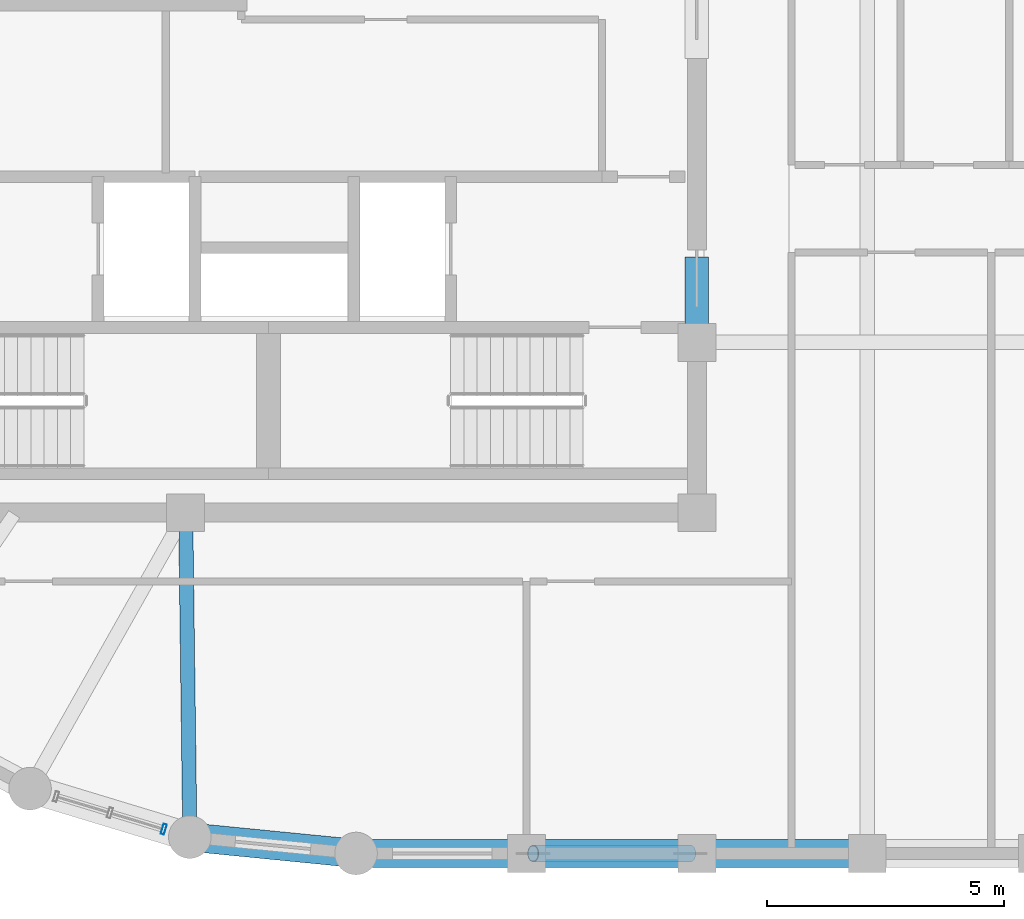
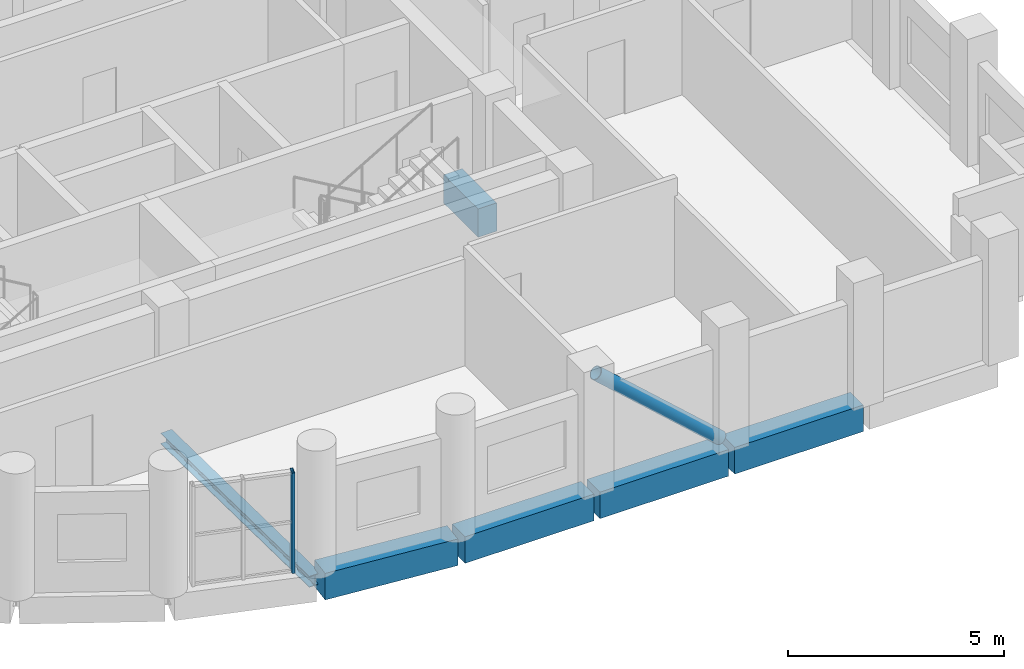
# One storey, part 4 of 11: 6 beams, 2 members, 1 element without a shape of its own.
"""IFC4 building model written with IfcOpenShell, lengths in metres."""

from ifc_helpers import new_model, si_unit, direction, frame, origin, origin_2d, place, context, subcontext, project, spatial, rectangle, hollow_rectangle, hollow_circle, i_section, extrude, material, layer, layer_set, material_profile, profile_set, type_object, element, aggregate, save


model = new_model("IFC4")

# Units and contexts
model_context = context("Model", 3, precision=1e-05, world=origin(), true_north=direction((0.0, 1.0)))
body_context = subcontext(model_context, "Body", "Model", "MODEL_VIEW")
ifc_project = project(units=[si_unit("LENGTHUNIT", "METRE"), si_unit("AREAUNIT", "SQUARE_METRE"), si_unit("VOLUMEUNIT", "CUBIC_METRE"), si_unit("PLANEANGLEUNIT", "RADIAN"), si_unit("MASSUNIT", "GRAM", prefix="KILO")], contexts=[model_context])

# Site, building, storey
site_placement = place(None, origin())
site = spatial("IfcSite", under=ifc_project, at=site_placement, CompositionType="ELEMENT")
building_placement = place(site_placement, origin())
building = spatial("IfcBuilding", under=site, at=building_placement, Name="Solnavia Interchange Tower", CompositionType="ELEMENT")
storey_placement = place(building_placement, frame((0.0, 0.0, 263.0)))
storey = spatial("IfcBuildingStorey", under=building, at=storey_placement, Name="L66", CompositionType="ELEMENT", Elevation=263.0)

# Beams
ifc_material_1 = material(Name="Concrete C50/60", Category="concrete")
ifc_material_profile_1 = material_profile(ifc_material_1, rectangle(XDim=0.5, YDim=0.800048828125, at=origin_2d()), Name="RC 500x800")
ifc_profile_set_1 = profile_set([ifc_material_profile_1], Name="Concrete C50/60")
beam_type_1 = type_object("IfcBeamType", Name="Beam-Coupling-RC500x800", PredefinedType="LINTEL", material=ifc_profile_set_1)
beam_1_placement = place(storey_placement, frame((32.39990234375, 14.60009765625, -0.39990234375), z_axis=(0.0, 1.0, 0.0), x_axis=(-1.0, 0.0, 0.0)))
element("IfcBeam", 1, at=beam_1_placement, inside=storey, type_object=beam_type_1, Name="CPB-L66-E1 Core coupling lintel beam", PredefinedType="LINTEL", context=body_context, shape_type="SweptSolid", body=[
    extrude(rectangle(XDim=0.5, YDim=0.800048828125, at=origin_2d()), origin(), (0.0, 0.0, 1.0), 1.599853515625),
])
ifc_material_2 = material(Name="Steel S355", Category="steel")
ifc_material_profile_2 = material_profile(ifc_material_2, i_section(OverallWidth=0.300048828125, OverallDepth=0.31005859375, WebThickness=0.009033203125, FlangeThickness=0.015380859375, FilletRadius=0.027099609375, at=origin_2d()), Name="HEA 320")
ifc_profile_set_2 = profile_set([ifc_material_profile_2], Name="Steel S355")
beam_type_2 = type_object("IfcBeamType", Name="Beam-Primary-HEA320", PredefinedType="BEAM", material=ifc_profile_set_2)
beam_2_placement = place(storey_placement, frame((21.68701171875, 4.02587890625, -0.405029296875), z_axis=(-0.01283293513, 0.999917654498, 0.0), x_axis=(-0.999917654498, -0.01283293513, 0.0)))
element("IfcBeam", 2, at=beam_2_placement, inside=storey, type_object=beam_type_2, Name="GRD-L66-DR11 Drum radial floor girder", PredefinedType="BEAM", context=body_context, shape_type="SweptSolid", body=[
    extrude(i_section(OverallWidth=0.300048828125, OverallDepth=0.31005859375, WebThickness=0.009033203125, FlangeThickness=0.015380859375, FilletRadius=0.027099609375, at=origin_2d()), origin(), (0.0, 0.0, 1.0), 6.734619140625),
])
ifc_material_profile_3 = material_profile(ifc_material_1, rectangle(XDim=0.60009765625, YDim=0.75, at=origin_2d()), Name="RC 600x750")
ifc_profile_set_3 = profile_set([ifc_material_profile_3], Name="Concrete C50/60")
beam_type_3 = type_object("IfcBeamType", Name="Beam-Spandrel-RC600x750", PredefinedType="SPANDREL", material=ifc_profile_set_3)
beam_3_placement = place(storey_placement, frame((21.767578125, 3.938232421875, -0.375), z_axis=(0.995181774609, -0.098047108501, 0.0), x_axis=(0.098047108501, 0.995181774609, 0.0)))
element("IfcBeam", 3, at=beam_3_placement, inside=storey, type_object=beam_type_3, Name="SPB-L66-08 Framed-tube perimeter spandrel beam", PredefinedType="SPANDREL", context=body_context, shape_type="SweptSolid", body=[
    extrude(rectangle(XDim=0.60009765625, YDim=0.75, at=origin_2d()), origin(), (0.0, 0.0, 1.0), 3.368896484375),
])
beam_4_placement = place(storey_placement, frame((25.280029296875, 3.60009765625, -0.375), z_axis=(1.0, 0.0, 0.0), x_axis=(0.0, 1.0, 0.0)))
element("IfcBeam", 4, at=beam_4_placement, inside=storey, type_object=beam_type_3, Name="SPB-L66-09 Framed-tube perimeter spandrel beam", PredefinedType="SPANDREL", context=body_context, shape_type="SweptSolid", body=[
    extrude(rectangle(XDim=0.60009765625, YDim=0.75, at=origin_2d()), origin(), (0.0, 0.0, 1.0), 3.43994140625),
])
beam_5_placement = place(storey_placement, frame((28.8798828125, 3.60009765625, -0.375), z_axis=(1.0, 0.0, 0.0), x_axis=(0.0, 1.0, 0.0)))
element("IfcBeam", 5, at=beam_5_placement, inside=storey, type_object=beam_type_3, Name="SPB-L66-10 Framed-tube perimeter spandrel beam", PredefinedType="SPANDREL", context=body_context, shape_type="SweptSolid", body=[
    extrude(rectangle(XDim=0.60009765625, YDim=0.75, at=origin_2d()), origin(), (0.0, 0.0, 1.0), 3.440185546875),
])
beam_6_placement = place(storey_placement, frame((32.47998046875, 3.60009765625, -0.375), z_axis=(1.0, 0.0, 0.0), x_axis=(0.0, 1.0, 0.0)))
element("IfcBeam", 6, at=beam_6_placement, inside=storey, type_object=beam_type_3, Name="SPB-L66-11 Framed-tube perimeter spandrel beam", PredefinedType="SPANDREL", context=body_context, shape_type="SweptSolid", body=[
    extrude(rectangle(XDim=0.60009765625, YDim=0.75, at=origin_2d()), origin(), (0.0, 0.0, 1.0), 3.43994140625),
])

# Member
ifc_material_3 = material(Name="Steel S460", Category="steel")
ifc_material_profile_4 = material_profile(ifc_material_3, hollow_circle(Radius=0.177734375, WallThickness=0.01611328125, at=origin_2d()), Name="CHS 355.6x16")
ifc_profile_set_4 = profile_set([ifc_material_profile_4], Name="Steel S460")
member_type_1 = type_object("IfcMemberType", Name="Brace-Perim-CHS355", PredefinedType="BRACE", material=ifc_profile_set_4)
member_1_placement = place(storey_placement, frame((32.260009765625, 3.60009765625, 0.179931640625), z_axis=(-0.74307946371, 0.0, 0.669203190827), x_axis=(0.0, -1.0, 0.0)))
element("IfcMember", 7, at=member_1_placement, inside=storey, type_object=member_type_1, Name="BRC-L66-01 Perimeter tube diagonal brace", PredefinedType="BRACE", context=body_context, shape_type="SweptSolid", body=[
    extrude(hollow_circle(Radius=0.177734375, WallThickness=0.01611328125, at=origin_2d()), origin(), (0.0, 0.0, 1.0), 4.468017578125),
])

# Curtain wall, member
ifc_material_4 = material(Name="Aluminium Alloy 6063-T6", Category="aluminium")
ifc_layer = layer(ifc_material_4, 0.239990234375)
ifc_layer_set = layer_set([ifc_layer], Name="Aluminium Alloy 6063-T6")
curtain_wall_type = type_object("IfcCurtainWallType", Name="CurtainWall-Drum-CTW2", PredefinedType="NOTDEFINED", material=ifc_layer_set)
curtain_wall_placement = place(storey_placement, origin())
curtain_wall = element("IfcCurtainWall", 8, at=curtain_wall_placement, inside=storey, type_object=curtain_wall_type, Name="CTW-L66-D43 CTW-2 curtain wall", PredefinedType="NOTDEFINED")
ifc_material_profile_5 = material_profile(ifc_material_4, hollow_rectangle(XDim=0.074951171875, YDim=0.219970703125, WallThickness=0.0048828125, at=origin_2d()), Name="ALU 220x75x5")
ifc_profile_set_5 = profile_set([ifc_material_profile_5], Name="Aluminium Alloy 6063-T6")
member_type_2 = type_object("IfcMemberType", Name="CW-Mullion-CWM-2", PredefinedType="MULLION", material=ifc_profile_set_5)
member_2_placement = place(storey_placement, frame((21.1376953125, 4.11279296875, 0.0), z_axis=(0.0, 0.0, 1.0), x_axis=(0.956942072515, -0.290278951786, 0.0)))
member_2 = element("IfcMember", 9, at=member_2_placement, type_object=member_type_2, Name="CTW-2 mullion 3", PredefinedType="MULLION", context=body_context, shape_type="SweptSolid", body=[
    extrude(hollow_rectangle(XDim=0.074951171875, YDim=0.219970703125, WallThickness=0.0048828125, at=origin_2d()), origin(), (0.0, 0.0, 1.0), 2.830078125),
])
aggregate(curtain_wall, [member_2])

save(model, "model.ifc")
